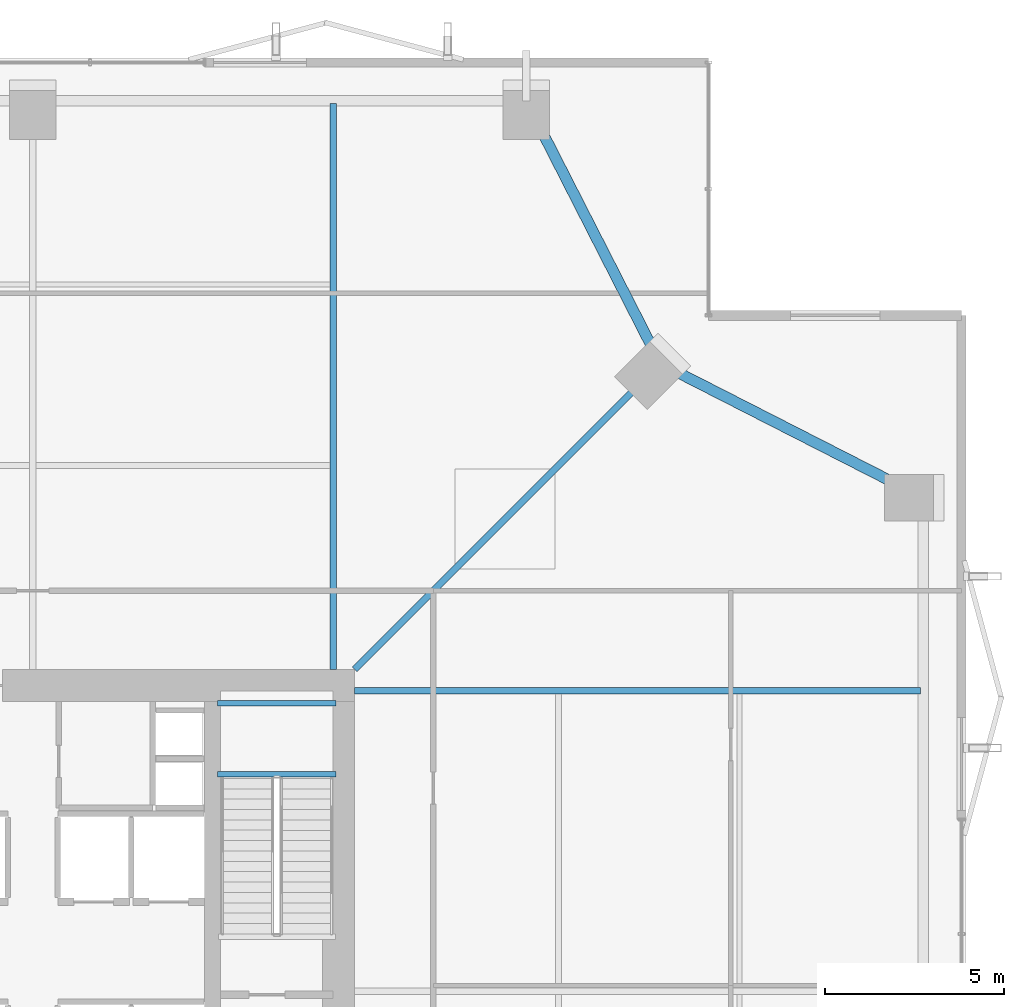
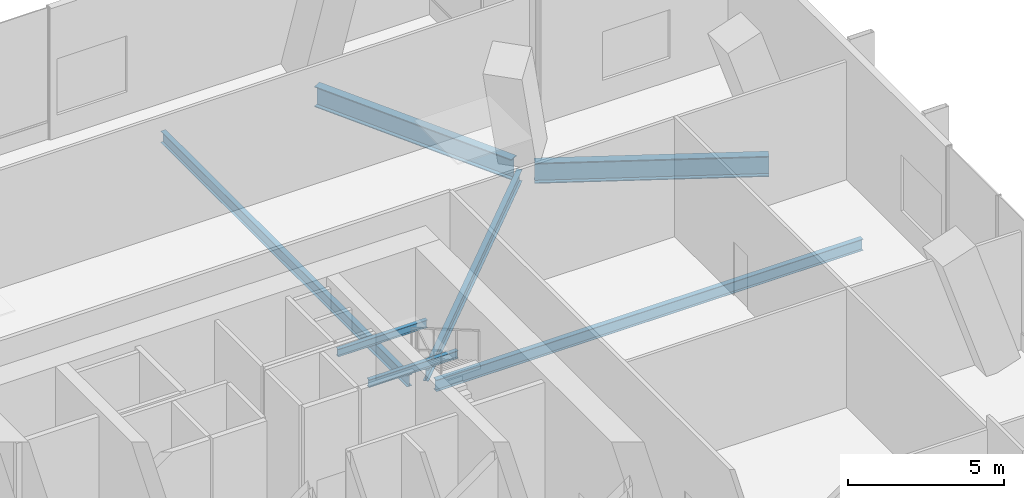
# One storey, part 19 of 28: 7 beams.
"""IFC4 building model written with IfcOpenShell, lengths in metres."""

from ifc_helpers import new_model, si_unit, direction, frame, origin, origin_2d, place, context, subcontext, project, spatial, i_section, extrude, material, material_profile, profile_set, type_object, element, save


model = new_model("IFC4")

# Units and contexts
model_context = context("Model", 3, precision=1e-05, world=origin(), true_north=direction((0.0, 1.0)))
body_context = subcontext(model_context, "Body", "Model", "MODEL_VIEW")
ifc_project = project(units=[si_unit("LENGTHUNIT", "METRE"), si_unit("AREAUNIT", "SQUARE_METRE"), si_unit("VOLUMEUNIT", "CUBIC_METRE"), si_unit("PLANEANGLEUNIT", "RADIAN"), si_unit("MASSUNIT", "GRAM", prefix="KILO")], contexts=[model_context])

# Site, building, storey
site_placement = place(None, origin())
site = spatial("IfcSite", under=ifc_project, at=site_placement, CompositionType="ELEMENT")
building_placement = place(site_placement, origin())
building = spatial("IfcBuilding", under=site, at=building_placement, Name="Belovzor Exchange Tower", CompositionType="ELEMENT")
storey_placement = place(building_placement, frame((0.0, 0.0, 132.89990234375)))
storey = spatial("IfcBuildingStorey", under=building, at=storey_placement, Name="L32", CompositionType="ELEMENT", Elevation=132.89990234375)

# Beams
ifc_material_1 = material(Name="Steel S355", Category="steel")
ifc_material_profile_1 = material_profile(ifc_material_1, i_section(OverallWidth=0.14990234375, OverallDepth=0.300048828125, WebThickness=0.007080078125, FlangeThickness=0.0107421875, at=origin_2d()))
ifc_profile_set_1 = profile_set([ifc_material_profile_1], Name="Steel S355")
beam_type_1 = type_object("IfcBeamType", Name="Secondary Trim Floor Joist IPE 300", PredefinedType="BEAM", material=ifc_profile_set_1)
for number, where, z_axis, x_axis, name in (
    (1, (37.280029296875, 34.8701171875, 2.35009765625), (-1.0, 0.0, 0.0), (0.0, -1.0, 0.0), "FJ-300 Secondary Trim Floor Joist IPE 300"),
    (2, (37.280029296875, 36.85009765625, 2.35009765625), (-1.0, 0.0, 0.0), (0.0, -1.0, 0.0), "FJ-300 Secondary Trim Floor Joist IPE 300"),
):
    element("IfcBeam", number, at=place(storey_placement, frame(where, z_axis=z_axis, x_axis=x_axis)), inside=storey, type_object=beam_type_1, Name=name, PredefinedType="BEAM", context=body_context, shape_type="SweptSolid", body=[
        extrude(i_section(OverallWidth=0.14990234375, OverallDepth=0.300048828125, WebThickness=0.007080078125, FlangeThickness=0.0107421875, at=origin_2d()), origin(), (0.0, 0.0, 1.0), 3.31005859375),
    ])
ifc_material_2 = material(Name="Steel S355", Category="steel")
ifc_material_profile_2 = material_profile(ifc_material_2, i_section(OverallWidth=0.300048828125, OverallDepth=0.800048828125, WebThickness=0.017578125, FlangeThickness=0.032958984375, at=origin_2d()))
ifc_profile_set_2 = profile_set([ifc_material_profile_2], Name="Steel S355")
beam_type_2 = type_object("IfcBeamType", Name="Sky-Lobby Primary Girder HEB 800", PredefinedType="BEAM", material=ifc_profile_set_2)
for number, where, z_axis, x_axis, name in (
    (3, (53.382080078125, 42.761962890625, -0.64990234375), (-0.890737249989, 0.454518593109, 0.0), (-0.454518593109, -0.890737249989, 0.0), "SG-1 Sky-Lobby Primary Girder HEB 800"),
    (4, (46.18798828125, 46.66796875, -0.64990234375), (-0.454518593109, 0.890737249989, 0.0), (-0.890737249989, -0.454518593109, 0.0), "SG-1 Sky-Lobby Primary Girder HEB 800"),
):
    element("IfcBeam", number, at=place(storey_placement, frame(where, z_axis=z_axis, x_axis=x_axis)), inside=storey, type_object=beam_type_2, Name=name, PredefinedType="BEAM", context=body_context, shape_type="SweptSolid", body=[
        extrude(i_section(OverallWidth=0.300048828125, OverallDepth=0.800048828125, WebThickness=0.017578125, FlangeThickness=0.032958984375, at=origin_2d()), origin(), (0.0, 0.0, 1.0), 7.53759765625),
    ])
ifc_material_3 = material(Name="Steel S355", Category="steel")
ifc_material_profile_3 = material_profile(ifc_material_3, i_section(OverallWidth=0.18994140625, OverallDepth=0.449951171875, WebThickness=0.009521484375, FlangeThickness=0.0146484375, at=origin_2d()))
ifc_profile_set_3 = profile_set([ifc_material_profile_3], Name="Steel S355")
beam_type_3 = type_object("IfcBeamType", Name="Zone 2-4 Radial Composite Floor Beam IPE 450", PredefinedType="BEAM", material=ifc_profile_set_3)
for number, where, z_axis, x_axis, name in (
    (5, (37.199951171875, 37.800048828125, -0.474853515625), (0.0, 1.0, 0.0), (-1.0, 0.0, 0.0), "FB-450 Zone 2-4 Radial Composite Floor Beam IPE 450"),
    (6, (37.800048828125, 37.199951171875, -0.474853515625), (1.0, 0.0, 0.0), (0.0, 1.0, 0.0), "FB-450 Zone 2-4 Radial Composite Floor Beam IPE 450"),
):
    element("IfcBeam", number, at=place(storey_placement, frame(where, z_axis=z_axis, x_axis=x_axis)), inside=storey, type_object=beam_type_3, Name=name, PredefinedType="BEAM", context=body_context, shape_type="SweptSolid", body=[
        extrude(i_section(OverallWidth=0.18994140625, OverallDepth=0.449951171875, WebThickness=0.009521484375, FlangeThickness=0.0146484375, at=origin_2d()), origin(), (0.0, 0.0, 1.0), 15.824951171875),
    ])
beam_placement = place(storey_placement, frame((37.800048828125, 37.800048828125, -0.474853515625), z_axis=(0.707106781187, 0.707106781187, 0.0), x_axis=(-0.707106781187, 0.707106781187, 0.0)))
element("IfcBeam", 7, at=beam_placement, inside=storey, type_object=beam_type_3, Name="FB-450 Zone 2-4 Radial Composite Floor Beam IPE 450", PredefinedType="BEAM", context=body_context, shape_type="SweptSolid", body=[
    extrude(i_section(OverallWidth=0.18994140625, OverallDepth=0.449951171875, WebThickness=0.009521484375, FlangeThickness=0.0146484375, at=origin_2d()), origin(), (0.0, 0.0, 1.0), 11.631591796875),
])

save(model, "model.ifc")
